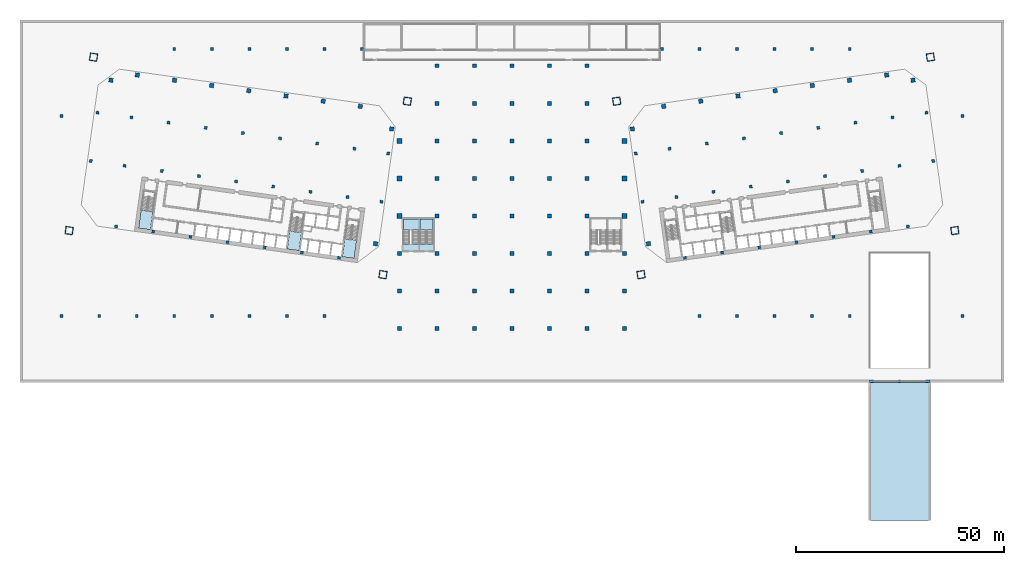
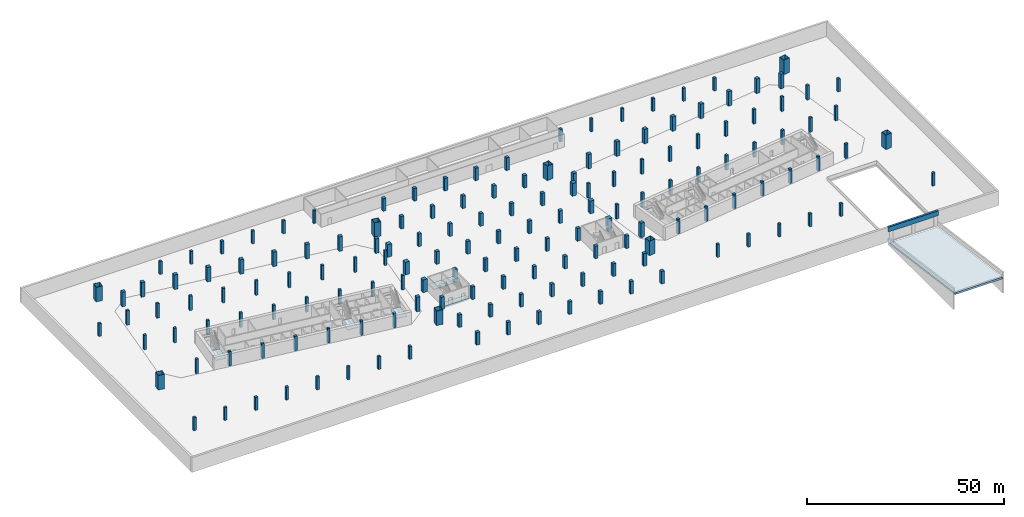
# One storey, part 1 of 17: 158 columns, 6 slabs, 1 beam, 1 footing, 5 elements without a shape of their own.
"""IFC4 building model written with IfcOpenShell, lengths in metres."""

from ifc_helpers import new_model, si_unit, direction, frame, origin, origin_2d, place, context, subcontext, project, spatial, polyline, rectangle, hollow_rectangle, outline, extrude, material, layer, layer_set, material_profile, profile_set, type_object, element, aggregate, save


model = new_model("IFC4")

# Units and contexts
model_context = context("Model", 3, precision=1e-05, world=origin(), true_north=direction((0.0, 1.0)))
body_context = subcontext(model_context, "Body", "Model", "MODEL_VIEW")
ifc_project = project(units=[si_unit("LENGTHUNIT", "METRE"), si_unit("AREAUNIT", "SQUARE_METRE"), si_unit("VOLUMEUNIT", "CUBIC_METRE"), si_unit("PLANEANGLEUNIT", "RADIAN"), si_unit("MASSUNIT", "GRAM", prefix="KILO")], contexts=[model_context])

# Site, building, storey
site_placement = place(None, origin())
site = spatial("IfcSite", under=ifc_project, at=site_placement, CompositionType="ELEMENT")
building_placement = place(site_placement, origin())
building = spatial("IfcBuilding", under=site, at=building_placement, Name="Mirante Cascada Hotel Towers", CompositionType="ELEMENT")
storey_placement = place(building_placement, frame((0.0, 0.0, -4.5)))
storey = spatial("IfcBuildingStorey", under=building, at=storey_placement, Name="B1", CompositionType="ELEMENT", Elevation=-4.5)

# Footing
ifc_material_1 = material(Name="Concrete C35/45", Category="concrete")
footing_type = type_object("IfcFootingType", Name="Ramp bed footing 500 C35/45", PredefinedType="PAD_FOOTING", material=ifc_material_1)
footing_placement = place(storey_placement, frame((86.0, -49.0, -0.4), z_axis=(0.0, 0.1351132, 0.9908302), x_axis=(1.0, 0.0, 0.0)))
element("IfcFooting", 1, at=footing_placement, inside=storey, type_object=footing_type, Name="footing:B:B1:23", PredefinedType="PAD_FOOTING", context=body_context, shape_type="SweptSolid", body=[
    extrude(outline(polyline([(0.0, 0.0), (14.0, 0.0), (14.0, -33.30540496676178), (0.0, -33.30540496676178), (0.0, 0.0)])), origin(), (0.0, 0.0, -1.0), 0.5),
])

# Columns
ifc_material_2 = material(Name="Steel ASTM A572 Gr 50", Category="steel")
ifc_material_profile_1 = material_profile(ifc_material_2, hollow_rectangle(XDim=1.8, YDim=1.8, WallThickness=0.08, at=origin_2d()), Name="Box column 1800x1800x80 ASTM A572 Gr 50")
ifc_profile_set_1 = profile_set([ifc_material_profile_1], Name="Steel ASTM A572 Gr 50")
column_type_1 = type_object("IfcColumnType", Name="Box column 1800x1800x80 ASTM A572 Gr 50", PredefinedType="COLUMN", material=ifc_profile_set_1)
for number, where, z_axis, x_axis, name in (
    (2, (-25.0968, 18.5173, 0.0), (0.0, 0.0, 1.0), (-0.9902681, 0.1391731, 0.0), "Mega column MC1 T1 B1"),
    (3, (-30.9421, -23.074, 0.0), (0.0, 0.0, 1.0), (-0.9902681, 0.1391731, 0.0), "Mega column MC2 T1 B1"),
    (4, (-100.3572, 29.0944, 0.0), (0.0, 0.0, 1.0), (-0.9902681, 0.1391731, 0.0), "Mega column MC3 T1 B1"),
    (5, (-106.2025, -12.4968, 0.0), (0.0, 0.0, 1.0), (-0.9902681, 0.1391731, 0.0), "Mega column MC4 T1 B1"),
    (6, (25.0968, 18.5173, 0.0), (0.0, 0.0, 1.0), (0.9902681, 0.1391731, 0.0), "Mega column MC1 T2 B1"),
    (7, (30.9421, -23.074, 0.0), (0.0, 0.0, 1.0), (0.9902681, 0.1391731, 0.0), "Mega column MC2 T2 B1"),
    (8, (100.3572, 29.0944, 0.0), (0.0, 0.0, 1.0), (0.9902681, 0.1391731, 0.0), "Mega column MC3 T2 B1"),
    (9, (106.2025, -12.4968, 0.0), (0.0, 0.0, 1.0), (0.9902681, 0.1391731, 0.0), "Mega column MC4 T2 B1"),
):
    element("IfcColumn", number, at=place(storey_placement, frame(where, z_axis=z_axis, x_axis=x_axis)), inside=storey, type_object=column_type_1, Name=name, PredefinedType="COLUMN", context=body_context, shape_type="SweptSolid", body=[
        extrude(hollow_rectangle(XDim=1.8, YDim=1.8, WallThickness=0.08, at=origin_2d()), origin(), (0.0, 0.0, 1.0), 4.5),
    ])
ifc_material_3 = material(Name="Concrete C50/60", Category="concrete")
ifc_material_profile_2 = material_profile(ifc_material_3, rectangle(XDim=1.2, YDim=1.2, at=origin_2d()), Name="RC 1200x1200")
ifc_profile_set_2 = profile_set([ifc_material_profile_2], Name="Concrete C50/60")
column_type_2 = type_object("IfcColumnType", Name="Column RC 1200x1200 C50/60", PredefinedType="COLUMN", material=ifc_profile_set_2)
for number, where, z_axis, x_axis, name in (
    (10, (-27.0, -9.0, 0.0), (0.0, 0.0, 1.0), (1.0, 0.0, 0.0), "col:P:B1:170"),
    (11, (27.0, -9.0, 0.0), (0.0, 0.0, 1.0), (1.0, 0.0, 0.0), "col:P:B1:213"),
    (12, (-27.0, 0.0, 0.0), (0.0, 0.0, 1.0), (1.0, 0.0, 0.0), "col:P:B1:221"),
    (13, (27.0, 0.0, 0.0), (0.0, 0.0, 1.0), (1.0, 0.0, 0.0), "col:P:B1:264"),
    (14, (-27.0, 9.0, 0.0), (0.0, 0.0, 1.0), (1.0, 0.0, 0.0), "col:P:B1:272"),
    (15, (27.0, 9.0, 0.0), (0.0, 0.0, 1.0), (1.0, 0.0, 0.0), "col:P:B1:303"),
):
    element("IfcColumn", number, at=place(storey_placement, frame(where, z_axis=z_axis, x_axis=x_axis)), inside=storey, type_object=column_type_2, Name=name, PredefinedType="COLUMN", context=body_context, shape_type="SweptSolid", body=[
        extrude(rectangle(XDim=1.2, YDim=1.2, at=origin_2d()), origin(), (0.0, 0.0, 1.0), 3.9),
    ])
ifc_material_4 = material(Name="Concrete C50/60", Category="concrete")
ifc_material_profile_3 = material_profile(ifc_material_4, rectangle(XDim=0.7, YDim=0.7, at=origin_2d()), Name="RC 700x700")
ifc_profile_set_3 = profile_set([ifc_material_profile_3], Name="Concrete C50/60")
column_type_3 = type_object("IfcColumnType", Name="Column RC 700x700 C50/60", PredefinedType="COLUMN", material=ifc_profile_set_3)
for number, where, z_axis, x_axis, name in (
    (16, (-108.0, -33.0, 0.0), (0.0, 0.0, 1.0), (1.0, 0.0, 0.0), "col:B:B1:349"),
    (17, (-99.0, -33.0, 0.0), (0.0, 0.0, 1.0), (1.0, 0.0, 0.0), "col:B:B1:351"),
    (18, (-90.0, -33.0, 0.0), (0.0, 0.0, 1.0), (1.0, 0.0, 0.0), "col:B:B1:353"),
    (19, (-81.0, -33.0, 0.0), (0.0, 0.0, 1.0), (1.0, 0.0, 0.0), "col:B:B1:355"),
    (20, (-72.0, -33.0, 0.0), (0.0, 0.0, 1.0), (1.0, 0.0, 0.0), "col:B:B1:357"),
    (21, (-63.0, -33.0, 0.0), (0.0, 0.0, 1.0), (1.0, 0.0, 0.0), "col:B:B1:359"),
    (22, (-54.0, -33.0, 0.0), (0.0, 0.0, 1.0), (1.0, 0.0, 0.0), "col:B:B1:361"),
    (23, (-45.0, -33.0, 0.0), (0.0, 0.0, 1.0), (1.0, 0.0, 0.0), "col:B:B1:363"),
    (24, (45.0, -33.0, 0.0), (0.0, 0.0, 1.0), (1.0, 0.0, 0.0), "col:B:B1:365"),
    (25, (54.0, -33.0, 0.0), (0.0, 0.0, 1.0), (1.0, 0.0, 0.0), "col:B:B1:367"),
    (26, (63.0, -33.0, 0.0), (0.0, 0.0, 1.0), (1.0, 0.0, 0.0), "col:B:B1:369"),
    (27, (72.0, -33.0, 0.0), (0.0, 0.0, 1.0), (1.0, 0.0, 0.0), "col:B:B1:371"),
    (28, (81.0, -33.0, 0.0), (0.0, 0.0, 1.0), (1.0, 0.0, 0.0), "col:B:B1:373"),
    (29, (108.0, -33.0, 0.0), (0.0, 0.0, 1.0), (1.0, 0.0, 0.0), "col:B:B1:375"),
    (30, (-108.0, 15.0, 0.0), (0.0, 0.0, 1.0), (1.0, 0.0, 0.0), "col:B:B1:377"),
    (31, (108.0, 15.0, 0.0), (0.0, 0.0, 1.0), (1.0, 0.0, 0.0), "col:B:B1:379"),
    (32, (-81.0, 31.0, 0.0), (0.0, 0.0, 1.0), (1.0, 0.0, 0.0), "col:B:B1:381"),
    (33, (-72.0, 31.0, 0.0), (0.0, 0.0, 1.0), (1.0, 0.0, 0.0), "col:B:B1:383"),
    (34, (-63.0, 31.0, 0.0), (0.0, 0.0, 1.0), (1.0, 0.0, 0.0), "col:B:B1:385"),
    (35, (-54.0, 31.0, 0.0), (0.0, 0.0, 1.0), (1.0, 0.0, 0.0), "col:B:B1:387"),
    (36, (-45.0, 31.0, 0.0), (0.0, 0.0, 1.0), (1.0, 0.0, 0.0), "col:B:B1:389"),
    (37, (-36.0, 31.0, 0.0), (0.0, 0.0, 1.0), (1.0, 0.0, 0.0), "col:B:B1:391"),
    (38, (36.0, 31.0, 0.0), (0.0, 0.0, 1.0), (1.0, 0.0, 0.0), "col:B:B1:393"),
    (39, (45.0, 31.0, 0.0), (0.0, 0.0, 1.0), (1.0, 0.0, 0.0), "col:B:B1:395"),
    (40, (54.0, 31.0, 0.0), (0.0, 0.0, 1.0), (1.0, 0.0, 0.0), "col:B:B1:397"),
    (41, (63.0, 31.0, 0.0), (0.0, 0.0, 1.0), (1.0, 0.0, 0.0), "col:B:B1:399"),
    (42, (72.0, 31.0, 0.0), (0.0, 0.0, 1.0), (1.0, 0.0, 0.0), "col:B:B1:401"),
    (43, (81.0, 31.0, 0.0), (0.0, 0.0, 1.0), (1.0, 0.0, 0.0), "col:B:B1:403"),
):
    element("IfcColumn", number, at=place(storey_placement, frame(where, z_axis=z_axis, x_axis=x_axis)), inside=storey, type_object=column_type_3, Name=name, PredefinedType="COLUMN", context=body_context, shape_type="SweptSolid", body=[
        extrude(rectangle(XDim=0.7, YDim=0.7, at=origin_2d()), origin(), (0.0, 0.0, 1.0), 4.0),
    ])
ifc_material_5 = material(Name="Concrete C50/60", Category="concrete")
ifc_material_profile_4 = material_profile(ifc_material_5, rectangle(XDim=0.9, YDim=0.9, at=origin_2d()), Name="RC 900x900")
ifc_profile_set_4 = profile_set([ifc_material_profile_4], Name="Concrete C50/60")
column_type_4 = type_object("IfcColumnType", Name="Column RC 900x900 C50/60", PredefinedType="COLUMN", material=ifc_profile_set_4)
for number, where, z_axis, x_axis, name in (
    (44, (-27.0, -36.0, 0.0), (0.0, 0.0, 1.0), (1.0, 0.0, 0.0), "col:P:B1:2"),
    (45, (-18.0, -36.0, 0.0), (0.0, 0.0, 1.0), (1.0, 0.0, 0.0), "col:P:B1:10"),
    (46, (-9.0, -36.0, 0.0), (0.0, 0.0, 1.0), (1.0, 0.0, 0.0), "col:P:B1:18"),
    (47, (0.0, -36.0, 0.0), (0.0, 0.0, 1.0), (1.0, 0.0, 0.0), "col:P:B1:26"),
    (48, (9.0, -36.0, 0.0), (0.0, 0.0, 1.0), (1.0, 0.0, 0.0), "col:P:B1:34"),
    (49, (18.0, -36.0, 0.0), (0.0, 0.0, 1.0), (1.0, 0.0, 0.0), "col:P:B1:42"),
    (50, (27.0, -36.0, 0.0), (0.0, 0.0, 1.0), (1.0, 0.0, 0.0), "col:P:B1:50"),
    (51, (-27.0, -27.0, 0.0), (0.0, 0.0, 1.0), (1.0, 0.0, 0.0), "col:P:B1:58"),
    (52, (-18.0, -27.0, 0.0), (0.0, 0.0, 1.0), (1.0, 0.0, 0.0), "col:P:B1:66"),
    (53, (-9.0, -27.0, 0.0), (0.0, 0.0, 1.0), (1.0, 0.0, 0.0), "col:P:B1:74"),
    (54, (0.0, -27.0, 0.0), (0.0, 0.0, 1.0), (1.0, 0.0, 0.0), "col:P:B1:82"),
    (55, (9.0, -27.0, 0.0), (0.0, 0.0, 1.0), (1.0, 0.0, 0.0), "col:P:B1:90"),
    (56, (18.0, -27.0, 0.0), (0.0, 0.0, 1.0), (1.0, 0.0, 0.0), "col:P:B1:98"),
    (57, (27.0, -27.0, 0.0), (0.0, 0.0, 1.0), (1.0, 0.0, 0.0), "col:P:B1:106"),
    (58, (-27.0, -18.0, 0.0), (0.0, 0.0, 1.0), (1.0, 0.0, 0.0), "col:P:B1:114"),
    (59, (-18.0, -18.0, 0.0), (0.0, 0.0, 1.0), (1.0, 0.0, 0.0), "col:P:B1:122"),
    (60, (-9.0, -18.0, 0.0), (0.0, 0.0, 1.0), (1.0, 0.0, 0.0), "col:P:B1:130"),
    (61, (0.0, -18.0, 0.0), (0.0, 0.0, 1.0), (1.0, 0.0, 0.0), "col:P:B1:138"),
    (62, (9.0, -18.0, 0.0), (0.0, 0.0, 1.0), (1.0, 0.0, 0.0), "col:P:B1:146"),
    (63, (18.0, -18.0, 0.0), (0.0, 0.0, 1.0), (1.0, 0.0, 0.0), "col:P:B1:154"),
    (64, (27.0, -18.0, 0.0), (0.0, 0.0, 1.0), (1.0, 0.0, 0.0), "col:P:B1:162"),
    (65, (-18.0, -9.0, 0.0), (0.0, 0.0, 1.0), (1.0, 0.0, 0.0), "col:P:B1:178"),
    (66, (-9.0, -9.0, 0.0), (0.0, 0.0, 1.0), (1.0, 0.0, 0.0), "col:P:B1:185"),
    (67, (0.0, -9.0, 0.0), (0.0, 0.0, 1.0), (1.0, 0.0, 0.0), "col:P:B1:192"),
    (68, (9.0, -9.0, 0.0), (0.0, 0.0, 1.0), (1.0, 0.0, 0.0), "col:P:B1:199"),
    (69, (18.0, -9.0, 0.0), (0.0, 0.0, 1.0), (1.0, 0.0, 0.0), "col:P:B1:206"),
    (70, (-18.0, 0.0, 0.0), (0.0, 0.0, 1.0), (1.0, 0.0, 0.0), "col:P:B1:229"),
    (71, (-9.0, 0.0, 0.0), (0.0, 0.0, 1.0), (1.0, 0.0, 0.0), "col:P:B1:236"),
    (72, (0.0, 0.0, 0.0), (0.0, 0.0, 1.0), (1.0, 0.0, 0.0), "col:P:B1:243"),
    (73, (9.0, 0.0, 0.0), (0.0, 0.0, 1.0), (1.0, 0.0, 0.0), "col:P:B1:250"),
    (74, (18.0, 0.0, 0.0), (0.0, 0.0, 1.0), (1.0, 0.0, 0.0), "col:P:B1:257"),
    (75, (-18.0, 9.0, 0.0), (0.0, 0.0, 1.0), (1.0, 0.0, 0.0), "col:P:B1:278"),
    (76, (-9.0, 9.0, 0.0), (0.0, 0.0, 1.0), (1.0, 0.0, 0.0), "col:P:B1:283"),
    (77, (0.0, 9.0, 0.0), (0.0, 0.0, 1.0), (1.0, 0.0, 0.0), "col:P:B1:288"),
    (78, (9.0, 9.0, 0.0), (0.0, 0.0, 1.0), (1.0, 0.0, 0.0), "col:P:B1:293"),
    (79, (18.0, 9.0, 0.0), (0.0, 0.0, 1.0), (1.0, 0.0, 0.0), "col:P:B1:298"),
    (80, (-18.0, 18.0, 0.0), (0.0, 0.0, 1.0), (1.0, 0.0, 0.0), "col:P:B1:309"),
    (81, (-9.0, 18.0, 0.0), (0.0, 0.0, 1.0), (1.0, 0.0, 0.0), "col:P:B1:314"),
    (82, (0.0, 18.0, 0.0), (0.0, 0.0, 1.0), (1.0, 0.0, 0.0), "col:P:B1:319"),
    (83, (9.0, 18.0, 0.0), (0.0, 0.0, 1.0), (1.0, 0.0, 0.0), "col:P:B1:324"),
    (84, (18.0, 18.0, 0.0), (0.0, 0.0, 1.0), (1.0, 0.0, 0.0), "col:P:B1:329"),
    (85, (-18.0, 27.0, 0.0), (0.0, 0.0, 1.0), (1.0, 0.0, 0.0), "col:P:B1:334"),
    (86, (-9.0, 27.0, 0.0), (0.0, 0.0, 1.0), (1.0, 0.0, 0.0), "col:P:B1:337"),
    (87, (0.0, 27.0, 0.0), (0.0, 0.0, 1.0), (1.0, 0.0, 0.0), "col:P:B1:340"),
    (88, (9.0, 27.0, 0.0), (0.0, 0.0, 1.0), (1.0, 0.0, 0.0), "col:P:B1:343"),
    (89, (18.0, 27.0, 0.0), (0.0, 0.0, 1.0), (1.0, 0.0, 0.0), "col:P:B1:346"),
):
    element("IfcColumn", number, at=place(storey_placement, frame(where, z_axis=z_axis, x_axis=x_axis)), inside=storey, type_object=column_type_4, Name=name, PredefinedType="COLUMN", context=body_context, shape_type="SweptSolid", body=[
        extrude(rectangle(XDim=0.9, YDim=0.9, at=origin_2d()), origin(), (0.0, 0.0, 1.0), 3.9),
    ])
ifc_material_6 = material(Name="Concrete C60/75", Category="concrete")
ifc_material_profile_5 = material_profile(ifc_material_6, rectangle(XDim=1.0, YDim=1.0, at=origin_2d()), Name="RC column 1000x1000 C60/75")
ifc_profile_set_5 = profile_set([ifc_material_profile_5], Name="Concrete C60/75")
column_type_5 = type_object("IfcColumnType", Name="RC column 1000x1000 C60/75", PredefinedType="COLUMN", material=ifc_profile_set_5)
for number, where, z_axis, x_axis, name in (
    (90, (-28.8577, 11.8761, 0.0), (0.0, 0.0, 1.0), (-0.9902681, 0.1391731, 0.0), "Column T1 B1 1"),
    (91, (-32.7267, -15.6534, 0.0), (0.0, 0.0, 1.0), (-0.9902681, 0.1391731, 0.0), "Column T1 B1 4"),
    (92, (-36.3795, 17.2754, 0.0), (0.0, 0.0, 1.0), (-0.9902681, 0.1391731, 0.0), "Column T1 B1 5"),
    (93, (-45.2919, 18.528, 0.0), (0.0, 0.0, 1.0), (-0.9902681, 0.1391731, 0.0), "Column T1 B1 9"),
    (94, (-54.2043, 19.7806, 0.0), (0.0, 0.0, 1.0), (-0.9902681, 0.1391731, 0.0), "Column T1 B1 13"),
    (95, (-63.1167, 21.0331, 0.0), (0.0, 0.0, 1.0), (-0.9902681, 0.1391731, 0.0), "Column T1 B1 17"),
    (96, (-72.0291, 22.2857, 0.0), (0.0, 0.0, 1.0), (-0.9902681, 0.1391731, 0.0), "Column T1 B1 21"),
    (97, (-80.9415, 23.5382, 0.0), (0.0, 0.0, 1.0), (-0.9902681, 0.1391731, 0.0), "Column T1 B1 25"),
    (98, (-89.8539, 24.7908, 0.0), (0.0, 0.0, 1.0), (-0.9902681, 0.1391731, 0.0), "Column T1 B1 29"),
    (99, (-96.1868, 23.5602, 0.0), (0.0, 0.0, 1.0), (-0.9902681, 0.1391731, 0.0), "Column T1 B1 33"),
    (100, (28.8577, 11.8761, 0.0), (0.0, 0.0, 1.0), (0.9902681, 0.1391731, 0.0), "Column T2 B1 1"),
    (101, (32.7267, -15.6534, 0.0), (0.0, 0.0, 1.0), (0.9902681, 0.1391731, 0.0), "Column T2 B1 4"),
    (102, (36.3795, 17.2754, 0.0), (0.0, 0.0, 1.0), (0.9902681, 0.1391731, 0.0), "Column T2 B1 5"),
    (103, (45.2919, 18.528, 0.0), (0.0, 0.0, 1.0), (0.9902681, 0.1391731, 0.0), "Column T2 B1 9"),
    (104, (54.2043, 19.7806, 0.0), (0.0, 0.0, 1.0), (0.9902681, 0.1391731, 0.0), "Column T2 B1 13"),
    (105, (63.1167, 21.0331, 0.0), (0.0, 0.0, 1.0), (0.9902681, 0.1391731, 0.0), "Column T2 B1 17"),
    (106, (72.0291, 22.2857, 0.0), (0.0, 0.0, 1.0), (0.9902681, 0.1391731, 0.0), "Column T2 B1 21"),
    (107, (80.9415, 23.5382, 0.0), (0.0, 0.0, 1.0), (0.9902681, 0.1391731, 0.0), "Column T2 B1 25"),
    (108, (89.8539, 24.7908, 0.0), (0.0, 0.0, 1.0), (0.9902681, 0.1391731, 0.0), "Column T2 B1 29"),
    (109, (96.1868, 23.5602, 0.0), (0.0, 0.0, 1.0), (0.9902681, 0.1391731, 0.0), "Column T2 B1 33"),
):
    element("IfcColumn", number, at=place(storey_placement, frame(where, z_axis=z_axis, x_axis=x_axis)), inside=storey, type_object=column_type_5, Name=name, PredefinedType="COLUMN", context=body_context, shape_type="SweptSolid", body=[
        extrude(rectangle(XDim=1.0, YDim=1.0, at=origin_2d()), origin(), (0.0, 0.0, 1.0), 4.5),
    ])
ifc_material_7 = material(Name="Concrete C60/75", Category="concrete")
ifc_material_profile_6 = material_profile(ifc_material_7, rectangle(XDim=0.7, YDim=0.7, at=origin_2d()), Name="RC column 700x700 C60/75")
ifc_profile_set_6 = profile_set([ifc_material_profile_6], Name="Concrete C60/75")
column_type_6 = type_object("IfcColumnType", Name="RC column 700x700 C60/75", PredefinedType="COLUMN", material=ifc_profile_set_6)
for number, where, z_axis, x_axis, name in (
    (110, (-29.6858, 5.984, 0.0), (0.0, 0.0, 1.0), (-0.9902681, 0.1391731, 0.0), "Column T1 B1 2"),
    (111, (-31.3141, -5.6022, 0.0), (0.0, 0.0, 1.0), (-0.9902681, 0.1391731, 0.0), "Column T1 B1 3"),
    (112, (-37.806, 7.1252, 0.0), (0.0, 0.0, 1.0), (-0.9902681, 0.1391731, 0.0), "Column T1 B1 6"),
    (113, (-39.4343, -4.4609, 0.0), (0.0, 0.0, 1.0), (-0.9902681, 0.1391731, 0.0), "Column T1 B1 7"),
    (114, (-41.4802, -19.0179, 0.0), (0.0, 0.0, 1.0), (-0.9902681, 0.1391731, 0.0), "Column T1 B1 8"),
    (115, (-46.7184, 8.3777, 0.0), (0.0, 0.0, 1.0), (-0.9902681, 0.1391731, 0.0), "Column T1 B1 10"),
    (116, (-48.3467, -3.2084, 0.0), (0.0, 0.0, 1.0), (-0.9902681, 0.1391731, 0.0), "Column T1 B1 11"),
    (117, (-50.3926, -17.7653, 0.0), (0.0, 0.0, 1.0), (-0.9902681, 0.1391731, 0.0), "Column T1 B1 12"),
    (118, (-55.6308, 9.6303, 0.0), (0.0, 0.0, 1.0), (-0.9902681, 0.1391731, 0.0), "Column T1 B1 14"),
    (119, (-57.2591, -1.9558, 0.0), (0.0, 0.0, 1.0), (-0.9902681, 0.1391731, 0.0), "Column T1 B1 15"),
    (120, (-59.305, -16.5128, 0.0), (0.0, 0.0, 1.0), (-0.9902681, 0.1391731, 0.0), "Column T1 B1 16"),
    (121, (-64.5432, 10.8829, 0.0), (0.0, 0.0, 1.0), (-0.9902681, 0.1391731, 0.0), "Column T1 B1 18"),
    (122, (-66.1716, -0.7033, 0.0), (0.0, 0.0, 1.0), (-0.9902681, 0.1391731, 0.0), "Column T1 B1 19"),
    (123, (-68.2174, -15.2602, 0.0), (0.0, 0.0, 1.0), (-0.9902681, 0.1391731, 0.0), "Column T1 B1 20"),
    (124, (-73.4556, 12.1354, 0.0), (0.0, 0.0, 1.0), (-0.9902681, 0.1391731, 0.0), "Column T1 B1 22"),
    (125, (-75.084, 0.5493, 0.0), (0.0, 0.0, 1.0), (-0.9902681, 0.1391731, 0.0), "Column T1 B1 23"),
    (126, (-77.1298, -14.0077, 0.0), (0.0, 0.0, 1.0), (-0.9902681, 0.1391731, 0.0), "Column T1 B1 24"),
    (127, (-82.368, 13.388, 0.0), (0.0, 0.0, 1.0), (-0.9902681, 0.1391731, 0.0), "Column T1 B1 26"),
    (128, (-83.9964, 1.8018, 0.0), (0.0, 0.0, 1.0), (-0.9902681, 0.1391731, 0.0), "Column T1 B1 27"),
    (129, (-86.0422, -12.7551, 0.0), (0.0, 0.0, 1.0), (-0.9902681, 0.1391731, 0.0), "Column T1 B1 28"),
    (130, (-91.2805, 14.6405, 0.0), (0.0, 0.0, 1.0), (-0.9902681, 0.1391731, 0.0), "Column T1 B1 30"),
    (131, (-92.9088, 3.0544, 0.0), (0.0, 0.0, 1.0), (-0.9902681, 0.1391731, 0.0), "Column T1 B1 31"),
    (132, (-94.9546, -11.5025, 0.0), (0.0, 0.0, 1.0), (-0.9902681, 0.1391731, 0.0), "Column T1 B1 32"),
    (133, (-99.4007, 15.7818, 0.0), (0.0, 0.0, 1.0), (-0.9902681, 0.1391731, 0.0), "Column T1 B1 34"),
    (134, (-101.029, 4.1956, 0.0), (0.0, 0.0, 1.0), (-0.9902681, 0.1391731, 0.0), "Column T1 B1 35"),
    (135, (29.6858, 5.984, 0.0), (0.0, 0.0, 1.0), (0.9902681, 0.1391731, 0.0), "Column T2 B1 2"),
    (136, (31.3141, -5.6022, 0.0), (0.0, 0.0, 1.0), (0.9902681, 0.1391731, 0.0), "Column T2 B1 3"),
    (137, (37.806, 7.1252, 0.0), (0.0, 0.0, 1.0), (0.9902681, 0.1391731, 0.0), "Column T2 B1 6"),
    (138, (39.4343, -4.4609, 0.0), (0.0, 0.0, 1.0), (0.9902681, 0.1391731, 0.0), "Column T2 B1 7"),
    (139, (41.4802, -19.0179, 0.0), (0.0, 0.0, 1.0), (0.9902681, 0.1391731, 0.0), "Column T2 B1 8"),
    (140, (46.7184, 8.3777, 0.0), (0.0, 0.0, 1.0), (0.9902681, 0.1391731, 0.0), "Column T2 B1 10"),
    (141, (48.3467, -3.2084, 0.0), (0.0, 0.0, 1.0), (0.9902681, 0.1391731, 0.0), "Column T2 B1 11"),
    (142, (50.3926, -17.7653, 0.0), (0.0, 0.0, 1.0), (0.9902681, 0.1391731, 0.0), "Column T2 B1 12"),
    (143, (55.6308, 9.6303, 0.0), (0.0, 0.0, 1.0), (0.9902681, 0.1391731, 0.0), "Column T2 B1 14"),
    (144, (57.2591, -1.9558, 0.0), (0.0, 0.0, 1.0), (0.9902681, 0.1391731, 0.0), "Column T2 B1 15"),
    (145, (59.305, -16.5128, 0.0), (0.0, 0.0, 1.0), (0.9902681, 0.1391731, 0.0), "Column T2 B1 16"),
    (146, (64.5432, 10.8829, 0.0), (0.0, 0.0, 1.0), (0.9902681, 0.1391731, 0.0), "Column T2 B1 18"),
    (147, (66.1716, -0.7033, 0.0), (0.0, 0.0, 1.0), (0.9902681, 0.1391731, 0.0), "Column T2 B1 19"),
    (148, (68.2174, -15.2602, 0.0), (0.0, 0.0, 1.0), (0.9902681, 0.1391731, 0.0), "Column T2 B1 20"),
    (149, (73.4556, 12.1354, 0.0), (0.0, 0.0, 1.0), (0.9902681, 0.1391731, 0.0), "Column T2 B1 22"),
    (150, (75.084, 0.5493, 0.0), (0.0, 0.0, 1.0), (0.9902681, 0.1391731, 0.0), "Column T2 B1 23"),
    (151, (77.1298, -14.0077, 0.0), (0.0, 0.0, 1.0), (0.9902681, 0.1391731, 0.0), "Column T2 B1 24"),
    (152, (82.368, 13.388, 0.0), (0.0, 0.0, 1.0), (0.9902681, 0.1391731, 0.0), "Column T2 B1 26"),
    (153, (83.9964, 1.8018, 0.0), (0.0, 0.0, 1.0), (0.9902681, 0.1391731, 0.0), "Column T2 B1 27"),
    (154, (86.0422, -12.7551, 0.0), (0.0, 0.0, 1.0), (0.9902681, 0.1391731, 0.0), "Column T2 B1 28"),
    (155, (91.2805, 14.6405, 0.0), (0.0, 0.0, 1.0), (0.9902681, 0.1391731, 0.0), "Column T2 B1 30"),
    (156, (92.9088, 3.0544, 0.0), (0.0, 0.0, 1.0), (0.9902681, 0.1391731, 0.0), "Column T2 B1 31"),
    (157, (94.9546, -11.5025, 0.0), (0.0, 0.0, 1.0), (0.9902681, 0.1391731, 0.0), "Column T2 B1 32"),
    (158, (99.4007, 15.7818, 0.0), (0.0, 0.0, 1.0), (0.9902681, 0.1391731, 0.0), "Column T2 B1 34"),
    (159, (101.029, 4.1956, 0.0), (0.0, 0.0, 1.0), (0.9902681, 0.1391731, 0.0), "Column T2 B1 35"),
):
    element("IfcColumn", number, at=place(storey_placement, frame(where, z_axis=z_axis, x_axis=x_axis)), inside=storey, type_object=column_type_6, Name=name, PredefinedType="COLUMN", context=body_context, shape_type="SweptSolid", body=[
        extrude(rectangle(XDim=0.7, YDim=0.7, at=origin_2d()), origin(), (0.0, 0.0, 1.0), 4.5),
    ])

# Beam
ifc_material_8 = material(Name="Concrete C35/45", Category="concrete")
ifc_material_profile_7 = material_profile(ifc_material_8, rectangle(XDim=0.6, YDim=1.5, at=origin_2d()), Name="RC 600x1500")
ifc_profile_set_7 = profile_set([ifc_material_profile_7], Name="Concrete C35/45")
beam_type = type_object("IfcBeamType", Name="Lintel beam RC 600x1500 C35/45", PredefinedType="LINTEL", material=ifc_profile_set_7)
beam_placement = place(storey_placement, frame((85.7, -48.7, 3.75), z_axis=(1.0, 0.0, 0.0), x_axis=(0.0, 1.0, 0.0)))
element("IfcBeam", 160, at=beam_placement, inside=storey, type_object=beam_type, Name="beam:B:B1:1", PredefinedType="LINTEL", context=body_context, shape_type="SweptSolid", body=[
    extrude(rectangle(XDim=0.6, YDim=1.5, at=origin_2d()), origin(), (0.0, 0.0, 1.0), 14.6),
])

# Stair, slab
ifc_material_9 = material(Name="Concrete C35/45", Category="concrete")
stair_type_1 = type_object("IfcStairType", Name="Exit stair half-turn 1350 concrete C35/45", PredefinedType="HALF_TURN_STAIR", material=ifc_material_9)
stair_1_placement = place(storey_placement, origin())
stair_1 = element("IfcStair", 161, at=stair_1_placement, inside=storey, type_object=stair_type_1, Name="B1 Exit stair A", PredefinedType="HALF_TURN_STAIR")
ifc_material_10 = material(Name="Concrete C35/45", Category="concrete")
ifc_layer_1 = layer(ifc_material_10, 0.2)
ifc_layer_set_1 = layer_set([ifc_layer_1], Name="Exit stair landing 200 concrete C35/45")
slab_type_1 = type_object("IfcSlabType", Name="Exit stair landing 200 concrete C35/45", PredefinedType="LANDING", material=ifc_layer_set_1)
slab_1_placement = place(storey_placement, frame((0.0, 0.0, 2.05)))
slab_1 = element("IfcSlab", 162, at=slab_1_placement, type_object=slab_type_1, Name="ST1-A landing 1", PredefinedType="LANDING", context=body_context, shape_type="SweptSolid", body=[
    extrude(outline(polyline([(-40.0767, -14.4205), (-40.6887, -18.7757), (-37.8665, -19.1723), (-37.2544, -14.8171), (-40.0767, -14.4205)])), origin(), (0.0, 0.0, 1.0), 0.2),
])
aggregate(stair_1, [slab_1])

stair_2_placement = place(storey_placement, origin())
stair_2 = element("IfcStair", 163, at=stair_2_placement, inside=storey, type_object=stair_type_1, Name="B1 Exit stair B", PredefinedType="HALF_TURN_STAIR")
slab_2_placement = place(storey_placement, frame((0.0, 0.0, 2.05)))
slab_2 = element("IfcSlab", 164, at=slab_2_placement, type_object=slab_type_1, Name="ST1-B landing 1", PredefinedType="LANDING", context=body_context, shape_type="SweptSolid", body=[
    extrude(outline(polyline([(-53.2967, -12.5625), (-53.9088, -16.9177), (-51.0866, -17.3144), (-50.4745, -12.9592), (-53.2967, -12.5625)])), origin(), (0.0, 0.0, 1.0), 0.2),
])
aggregate(stair_2, [slab_2])

stair_3_placement = place(storey_placement, origin())
stair_3 = element("IfcStair", 165, at=stair_3_placement, inside=storey, type_object=stair_type_1, Name="B1 Exit stair C", PredefinedType="HALF_TURN_STAIR")
slab_3_placement = place(storey_placement, frame((0.0, 0.0, 2.05)))
slab_3 = element("IfcSlab", 166, at=slab_3_placement, type_object=slab_type_1, Name="ST1-C landing 1", PredefinedType="LANDING", context=body_context, shape_type="SweptSolid", body=[
    extrude(outline(polyline([(-88.9464, -7.5523), (-89.5585, -11.9075), (-86.7362, -12.3041), (-86.1241, -7.9489), (-88.9464, -7.5523)])), origin(), (0.0, 0.0, 1.0), 0.2),
])
aggregate(stair_3, [slab_3])

ifc_material_11 = material(Name="Concrete C35/45", Category="concrete")
stair_type_2 = type_object("IfcStairType", Name="Podium exit stair half-turn 1500 concrete C35/45", PredefinedType="HALF_TURN_STAIR", material=ifc_material_11)
stair_4_placement = place(storey_placement, origin())
stair_4 = element("IfcStair", 167, at=stair_4_placement, inside=storey, type_object=stair_type_2, Name="B1 Podium exit stair 3", PredefinedType="HALF_TURN_STAIR")
ifc_material_12 = material(Name="Concrete C35/45", Category="concrete")
ifc_layer_2 = layer(ifc_material_12, 0.2)
ifc_layer_set_2 = layer_set([ifc_layer_2], Name="Podium exit stair landing 200 concrete C35/45")
slab_type_2 = type_object("IfcSlabType", Name="Podium exit stair landing 200 concrete C35/45", PredefinedType="LANDING", material=ifc_layer_set_2)
slab_4_placement = place(storey_placement, frame((0.0, 0.0, 2.05)))
slab_4 = element("IfcSlab", 168, at=slab_4_placement, type_object=slab_type_2, Name="PS1 landing 1", PredefinedType="LANDING", context=body_context, shape_type="SweptSolid", body=[
    extrude(outline(polyline([(-18.925, -12.415), (-18.925, -9.725), (-22.075, -9.725), (-22.075, -12.415), (-18.925, -12.415)])), origin(), (0.0, 0.0, 1.0), 0.2),
])
aggregate(stair_4, [slab_4])

stair_5_placement = place(storey_placement, origin())
stair_5 = element("IfcStair", 169, at=stair_5_placement, inside=storey, type_object=stair_type_2, Name="B1 Podium exit stair 5", PredefinedType="HALF_TURN_STAIR")
slab_5_placement = place(storey_placement, frame((0.0, 0.0, 2.05)))
slab_5 = element("IfcSlab", 170, at=slab_5_placement, type_object=slab_type_2, Name="PS3 landing 1", PredefinedType="LANDING", context=body_context, shape_type="SweptSolid", body=[
    extrude(outline(polyline([(-22.325, -12.415), (-22.325, -9.725), (-26.075, -9.725), (-26.075, -12.415), (-22.325, -12.415)])), origin(), (0.0, 0.0, 1.0), 0.2),
])
aggregate(stair_5, [slab_5])

# Slab
ifc_material_13 = material(Name="Concrete C35/45", Category="concrete")
ifc_layer_3 = layer(ifc_material_13, 0.5)
ifc_layer_set_3 = layer_set([ifc_layer_3], Name="Stair floor landing 500 concrete C35/45")
slab_type_3 = type_object("IfcSlabType", Name="Stair floor landing 500 concrete C35/45", PredefinedType="LANDING", material=ifc_layer_set_3)
slab_6_placement = place(storey_placement, frame((0.0, 0.0, -0.5)))
element("IfcSlab", 171, at=slab_6_placement, inside=storey, type_object=slab_type_3, Name="Exit stair 3 floor landing B1", PredefinedType="LANDING", context=body_context, shape_type="SweptSolid", body=[
    extrude(outline(polyline([(-26.2, -17.4), (-18.8, -17.4), (-18.8, -15.775), (-26.2, -15.775), (-26.2, -17.4)])), origin(), (0.0, 0.0, 1.0), 0.5),
])

save(model, "model.ifc")
